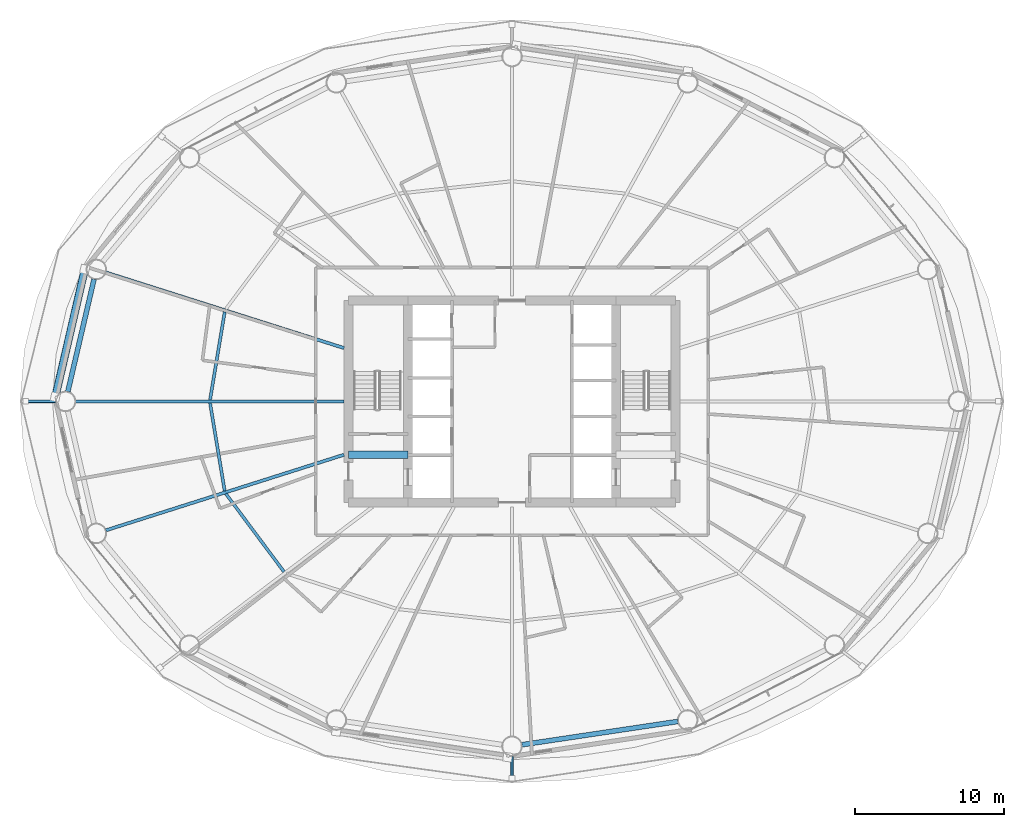
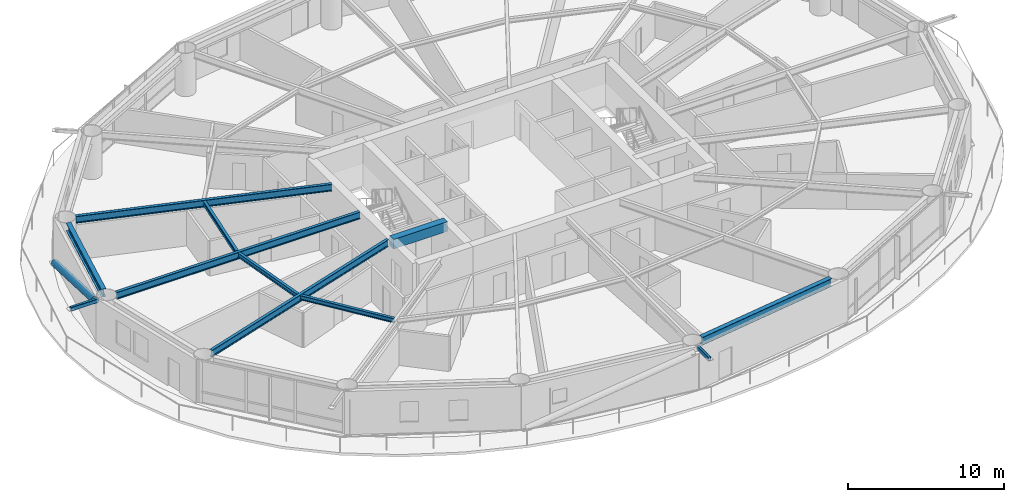
# One storey, part 5 of 26: 9 beams, 3 members.
"""IFC4 building model written with IfcOpenShell, lengths in metres."""

from ifc_helpers import new_model, si_unit, direction, frame, origin, origin_2d, place, context, subcontext, project, spatial, rectangle, hollow_rectangle, hollow_circle, i_section, extrude, material, material_profile, profile_set, type_object, element, save


model = new_model("IFC4")

# Units and contexts
model_context = context("Model", 3, precision=1e-05, world=origin(), true_north=direction((0.0, 1.0)))
body_context = subcontext(model_context, "Body", "Model", "MODEL_VIEW")
ifc_project = project(units=[si_unit("LENGTHUNIT", "METRE"), si_unit("AREAUNIT", "SQUARE_METRE"), si_unit("VOLUMEUNIT", "CUBIC_METRE"), si_unit("PLANEANGLEUNIT", "RADIAN"), si_unit("MASSUNIT", "GRAM", prefix="KILO")], contexts=[model_context])

# Site, building, storey
site_placement = place(None, origin())
site = spatial("IfcSite", under=ifc_project, at=site_placement, CompositionType="ELEMENT")
building_placement = place(site_placement, origin())
building = spatial("IfcBuilding", under=site, at=building_placement, Name="Sarneth Arch Tower", CompositionType="ELEMENT")
storey_placement = place(building_placement, frame((0.0, 0.0, 53.39990234375)))
storey = spatial("IfcBuildingStorey", under=building, at=storey_placement, Name="L12", CompositionType="ELEMENT", Elevation=53.39990234375)

# Beams
ifc_material_1 = material(Name="Steel S355", Category="steel")
ifc_material_profile_1 = material_profile(ifc_material_1, i_section(OverallWidth=0.2041015625, OverallDepth=0.35009765625, WebThickness=0.008544921875, FlangeThickness=0.01513671875, FilletRadius=0.014892578125, at=origin_2d()), Name="W360x72")
ifc_profile_set_1 = profile_set([ifc_material_profile_1], Name="Steel S355")
beam_type_1 = type_object("IfcBeamType", Name="BM-JOIST-360D", PredefinedType="JOIST", material=ifc_profile_set_1)
for number, where, z_axis, x_axis, name in (
    (1, (28.67138671875, 48.025146484375, 3.205078125), (-0.163917352659, -0.986474075431, 0.0), (0.986474075431, -0.163917352659, 0.0), "L12 Secondary floor joist 08"),
    (2, (27.687744140625, 41.89453125, 3.205078125), (0.163917352659, -0.986474075431, 0.0), (0.986474075431, 0.163917352659, 0.0), "L12 Secondary floor joist 09"),
):
    element("IfcBeam", number, at=place(storey_placement, frame(where, z_axis=z_axis, x_axis=x_axis)), inside=storey, type_object=beam_type_1, Name=name, PredefinedType="JOIST", context=body_context, shape_type="SweptSolid", body=[
        extrude(i_section(OverallWidth=0.2041015625, OverallDepth=0.35009765625, WebThickness=0.008544921875, FlangeThickness=0.01513671875, FilletRadius=0.014892578125, at=origin_2d()), origin(), (0.0, 0.0, 1.0), 6.000732421875),
    ])
beam_1_placement = place(storey_placement, frame((28.7529296875, 35.783447265625, 3.205078125), z_axis=(0.597453564101, -0.801903509621, 0.0), x_axis=(0.801903509621, 0.597453564101, 0.0)))
element("IfcBeam", 3, at=beam_1_placement, inside=storey, type_object=beam_type_1, Name="L12 Secondary floor joist 10", PredefinedType="JOIST", context=body_context, shape_type="SweptSolid", body=[
    extrude(i_section(OverallWidth=0.2041015625, OverallDepth=0.35009765625, WebThickness=0.008544921875, FlangeThickness=0.01513671875, FilletRadius=0.014892578125, at=origin_2d()), origin(), (0.0, 0.0, 1.0), 6.542724609375),
])
ifc_material_2 = material(Name="Concrete C50/60", Category="concrete")
ifc_material_profile_2 = material_profile(ifc_material_2, rectangle(XDim=0.5, YDim=0.75, at=origin_2d()), Name="RC-500x750")
ifc_profile_set_2 = profile_set([ifc_material_profile_2], Name="Concrete C50/60")
beam_type_2 = type_object("IfcBeamType", Name="BM-LINTEL-RC", PredefinedType="LINTEL", material=ifc_profile_set_2)
beam_2_placement = place(storey_placement, frame((37.0, 38.39990234375, 3.005126953125), z_axis=(1.0, 0.0, 0.0), x_axis=(0.0, 1.0, 0.0)))
element("IfcBeam", 4, at=beam_2_placement, inside=storey, type_object=beam_type_2, Name="L12 Core coupling lintel W", PredefinedType="LINTEL", context=body_context, shape_type="SweptSolid", body=[
    extrude(rectangle(XDim=0.5, YDim=0.75, at=origin_2d()), origin(), (0.0, 0.0, 1.0), 4.0),
])
ifc_material_3 = material(Name="Steel S355", Category="steel")
ifc_material_profile_3 = material_profile(ifc_material_3, i_section(OverallWidth=0.214111328125, OverallDepth=0.549072265625, WebThickness=0.0146484375, FlangeThickness=0.023681640625, FilletRadius=0.01806640625, at=origin_2d()), Name="W530x138")
ifc_profile_set_3 = profile_set([ifc_material_profile_3], Name="Steel S355")
beam_type_3 = type_object("IfcBeamType", Name="BM-RAD-530A", PredefinedType="BEAM", material=ifc_profile_set_3)
beam_3_placement = place(storey_placement, frame((36.699951171875, 45.58740234375, 3.105712890625), z_axis=(-0.953119945629, 0.302592744864, 0.0), x_axis=(-0.302592744864, -0.953119945629, 0.0)))
element("IfcBeam", 5, at=beam_3_placement, inside=storey, type_object=beam_type_3, Name="L12 Radial floor girder 08", PredefinedType="BEAM", context=body_context, shape_type="SweptSolid", body=[
    extrude(i_section(OverallWidth=0.214111328125, OverallDepth=0.549072265625, WebThickness=0.0146484375, FlangeThickness=0.023681640625, FilletRadius=0.01806640625, at=origin_2d()), origin(), (0.0, 0.0, 1.0), 16.810302734375),
])
beam_4_placement = place(storey_placement, frame((36.699951171875, 42.0, 3.105712890625), z_axis=(-1.0, 0.0, 0.0), x_axis=(0.0, -1.0, 0.0)))
element("IfcBeam", 6, at=beam_4_placement, inside=storey, type_object=beam_type_3, Name="L12 Radial floor girder 09", PredefinedType="BEAM", context=body_context, shape_type="SweptSolid", body=[
    extrude(i_section(OverallWidth=0.214111328125, OverallDepth=0.549072265625, WebThickness=0.0146484375, FlangeThickness=0.023681640625, FilletRadius=0.01806640625, at=origin_2d()), origin(), (0.0, 0.0, 1.0), 18.059814453125),
])
beam_5_placement = place(storey_placement, frame((36.699951171875, 38.41259765625, 3.105712890625), z_axis=(-0.953119945629, -0.302592744864, 0.0), x_axis=(0.302592744864, -0.953119945629, 0.0)))
element("IfcBeam", 7, at=beam_5_placement, inside=storey, type_object=beam_type_3, Name="L12 Radial floor girder 10", PredefinedType="BEAM", context=body_context, shape_type="SweptSolid", body=[
    extrude(i_section(OverallWidth=0.214111328125, OverallDepth=0.549072265625, WebThickness=0.0146484375, FlangeThickness=0.023681640625, FilletRadius=0.01806640625, at=origin_2d()), origin(), (0.0, 0.0, 1.0), 16.810302734375),
])
ifc_material_4 = material(Name="Steel S355", Category="steel")
ifc_material_profile_4 = material_profile(ifc_material_4, i_section(OverallWidth=0.326904296875, OverallDepth=0.6220703125, WebThickness=0.015380859375, FlangeThickness=0.0244140625, FilletRadius=0.01904296875, at=origin_2d()), Name="W610x195")
ifc_profile_set_4 = profile_set([ifc_material_profile_4], Name="Steel S355")
beam_type_4 = type_object("IfcBeamType", Name="BM-SPAN-610A", PredefinedType="SPANDREL", material=ifc_profile_set_4)
beam_6_placement = place(storey_placement, frame((19.88134765625, 50.220947265625, 3.069091796875), z_axis=(-0.227001042423, -0.973894515201, 0.0), x_axis=(0.973894515201, -0.227001042423, 0.0)))
element("IfcBeam", 8, at=beam_6_placement, inside=storey, type_object=beam_type_4, Name="L12 Perimeter spandrel beam 08", PredefinedType="SPANDREL", context=body_context, shape_type="SweptSolid", body=[
    extrude(i_section(OverallWidth=0.326904296875, OverallDepth=0.6220703125, WebThickness=0.015380859375, FlangeThickness=0.0244140625, FilletRadius=0.01904296875, at=origin_2d()), origin(), (0.0, 0.0, 1.0), 7.76611328125),
])
beam_7_placement = place(storey_placement, frame((48.66748046875, 18.899658203125, 3.069091796875), z_axis=(0.989015788086, 0.147809914809, 0.0), x_axis=(-0.147809914809, 0.989015788086, 0.0)))
element("IfcBeam", 9, at=beam_7_placement, inside=storey, type_object=beam_type_4, Name="L12 Perimeter spandrel beam 13", PredefinedType="SPANDREL", context=body_context, shape_type="SweptSolid", body=[
    extrude(i_section(OverallWidth=0.326904296875, OverallDepth=0.6220703125, WebThickness=0.015380859375, FlangeThickness=0.0244140625, FilletRadius=0.01904296875, at=origin_2d()), origin(), (0.0, 0.0, 1.0), 10.59912109375),
])

# Members
ifc_material_5 = material(Name="Steel S355", Category="steel")
ifc_material_profile_5 = material_profile(ifc_material_5, hollow_rectangle(XDim=0.199951171875, YDim=0.300048828125, WallThickness=0.012451171875, InnerFilletRadius=0.018798828125, OuterFilletRadius=0.03125, at=origin_2d()), Name="RHS300x200x12.5")
ifc_profile_set_5 = profile_set([ifc_material_profile_5], Name="Steel S355")
member_type_1 = type_object("IfcMemberType", Name="MEM-CANT-STRUT", PredefinedType="STRUT", material=ifc_profile_set_5)
member_1_placement = place(storey_placement, frame((17.290283203125, 42.0, 3.22021484375), z_axis=(-1.0, 0.0, 0.0), x_axis=(0.0, -1.0, 0.0)))
element("IfcMember", 10, at=member_1_placement, inside=storey, type_object=member_type_1, Name="L12 Balcony cantilever bracket 09", PredefinedType="STRUT", context=body_context, shape_type="SweptSolid", body=[
    extrude(hollow_rectangle(XDim=0.199951171875, YDim=0.300048828125, WallThickness=0.012451171875, InnerFilletRadius=0.018798828125, OuterFilletRadius=0.03125, at=origin_2d()), origin(), (0.0, 0.0, 1.0), 2.014404296875),
])
member_2_placement = place(storey_placement, frame((48.0, 18.125, 3.22021484375), z_axis=(0.0, -1.0, 0.0), x_axis=(1.0, 0.0, 0.0)))
element("IfcMember", 11, at=member_2_placement, inside=storey, type_object=member_type_1, Name="L12 Balcony cantilever bracket 13", PredefinedType="STRUT", context=body_context, shape_type="SweptSolid", body=[
    extrude(hollow_rectangle(XDim=0.199951171875, YDim=0.300048828125, WallThickness=0.012451171875, InnerFilletRadius=0.018798828125, OuterFilletRadius=0.03125, at=origin_2d()), origin(), (0.0, 0.0, 1.0), 1.485595703125),
])
ifc_material_6 = material(Name="Steel S355", Category="steel")
ifc_material_profile_6 = material_profile(ifc_material_6, hollow_circle(Radius=0.25390625, WallThickness=0.01611328125, at=origin_2d()), Name="CHS508x16")
ifc_profile_set_6 = profile_set([ifc_material_profile_6], Name="Steel S355")
member_type_2 = type_object("IfcMemberType", Name="MEM-DIAG-BR1", PredefinedType="BRACE", material=ifc_profile_set_6)
member_3_placement = place(storey_placement, frame((19.260986328125, 50.884521484375, 0.02001953125), z_axis=(-0.213332307958, -0.922814312474, 0.320785085492), x_axis=(0.974304339016, -0.225235554419, 0.0)))
element("IfcMember", 12, at=member_3_placement, inside=storey, type_object=member_type_2, Name="L12 Perimeter frame diagonal 08", PredefinedType="BRACE", context=body_context, shape_type="SweptSolid", body=[
    extrude(hollow_circle(Radius=0.25390625, WallThickness=0.01611328125, at=origin_2d()), origin(), (0.0, 0.0, 1.0), 9.31103515625),
])

save(model, "model.ifc")
